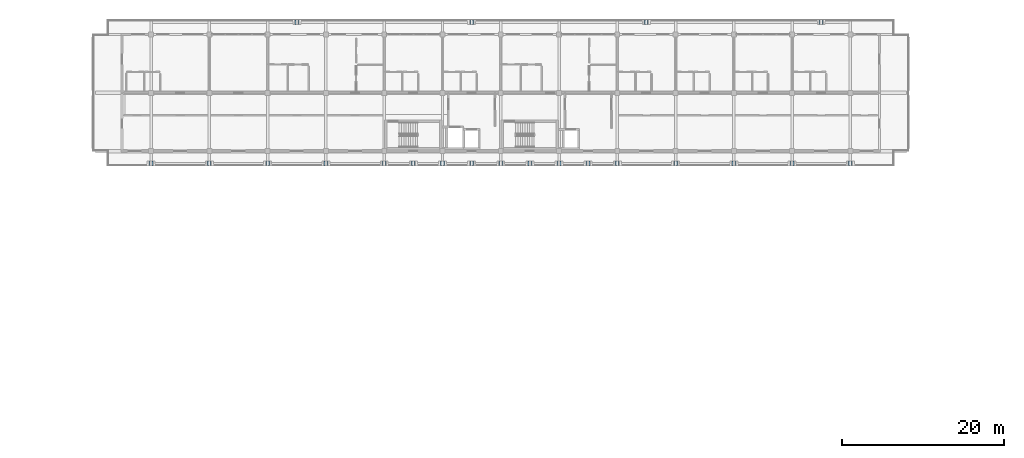
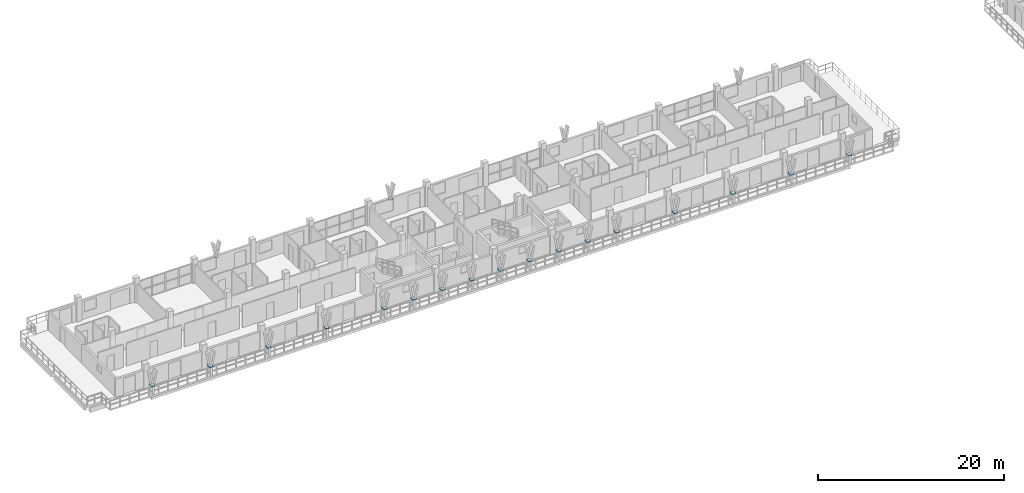
# One storey, part 32 of 67: 21 plates.
"""IFC4 building model written with IfcOpenShell, lengths in metres."""

from ifc_helpers import new_model, si_unit, direction, frame, origin, origin_2d, place, context, subcontext, project, spatial, rectangle, extrude, material, layer, layer_set, type_object, element, save


model = new_model("IFC4")

# Units and contexts
model_context = context("Model", 3, precision=1e-05, world=origin(), true_north=direction((0.0, 1.0)))
body_context = subcontext(model_context, "Body", "Model", "MODEL_VIEW")
ifc_project = project(units=[si_unit("LENGTHUNIT", "METRE"), si_unit("AREAUNIT", "SQUARE_METRE"), si_unit("VOLUMEUNIT", "CUBIC_METRE"), si_unit("PLANEANGLEUNIT", "RADIAN"), si_unit("MASSUNIT", "GRAM", prefix="KILO")], contexts=[model_context])

# Site, building, storey
site_placement = place(None, origin())
site = spatial("IfcSite", under=ifc_project, at=site_placement, CompositionType="ELEMENT")
building_placement = place(site_placement, origin())
building = spatial("IfcBuilding", under=site, at=building_placement, Name="Suanplinth Sawtooth Commons", CompositionType="ELEMENT")
storey_placement = place(building_placement, frame((0.0, 0.0, 25.10009765625)))
storey = spatial("IfcBuildingStorey", under=building, at=storey_placement, Name="L07", CompositionType="ELEMENT", Elevation=25.10009765625)

# Plates
ifc_material = material(Name="Pigmented precast concrete C40/50", Category="concrete")
ifc_layer = layer(ifc_material, 0.06005859375, Name="Precast Y-blade bifurcation node plate 60mm")
ifc_layer_set = layer_set([ifc_layer], Name="Pigmented precast concrete C40/50")
plate_type = type_object("IfcPlateType", Name="PL-04", PredefinedType="USERDEFINED", material=ifc_layer_set)
for number, where, z_axis, x_axis, name in (
    (1, (32.39990234375, 123.919921875, 1.119873046875), (0.0, 0.0, 1.0), (1.0, 0.0, 0.0), "Y-Blade Node Plate L07-A-N-01"),
    (2, (54.0, 123.919921875, 1.119873046875), (0.0, 0.0, 1.0), (1.0, 0.0, 0.0), "Y-Blade Node Plate L07-A-N-02"),
    (3, (75.60009765625, 123.919921875, 1.119873046875), (0.0, 0.0, 1.0), (1.0, 0.0, 0.0), "Y-Blade Node Plate L07-A-N-03"),
    (4, (97.199951171875, 123.919921875, 1.119873046875), (0.0, 0.0, 1.0), (1.0, 0.0, 0.0), "Y-Blade Node Plate L07-A-N-04"),
    (5, (14.39990234375, 106.47998046875, 1.119873046875), (0.0, 0.0, 1.0), (1.0, 0.0, 0.0), "Y-Blade Node Plate L07-A-S-05"),
    (6, (21.60009765625, 106.47998046875, 1.119873046875), (0.0, 0.0, 1.0), (1.0, 0.0, 0.0), "Y-Blade Node Plate L07-A-S-06"),
    (7, (28.800048828125, 106.47998046875, 1.119873046875), (0.0, 0.0, 1.0), (1.0, 0.0, 0.0), "Y-Blade Node Plate L07-A-S-07"),
    (8, (36.0, 106.47998046875, 1.119873046875), (0.0, 0.0, 1.0), (1.0, 0.0, 0.0), "Y-Blade Node Plate L07-A-S-08"),
    (9, (43.199951171875, 106.47998046875, 1.119873046875), (0.0, 0.0, 1.0), (1.0, 0.0, 0.0), "Y-Blade Node Plate L07-A-S-09"),
    (10, (46.800048828125, 106.47998046875, 1.119873046875), (0.0, 0.0, 1.0), (1.0, 0.0, 0.0), "Y-Blade Node Plate L07-A-S-10"),
    (11, (50.39990234375, 106.47998046875, 1.119873046875), (0.0, 0.0, 1.0), (1.0, 0.0, 0.0), "Y-Blade Node Plate L07-A-S-11"),
    (12, (54.0, 106.47998046875, 1.119873046875), (0.0, 0.0, 1.0), (1.0, 0.0, 0.0), "Y-Blade Node Plate L07-A-S-12"),
    (13, (57.60009765625, 106.47998046875, 1.119873046875), (0.0, 0.0, 1.0), (1.0, 0.0, 0.0), "Y-Blade Node Plate L07-A-S-13"),
    (14, (61.199951171875, 106.47998046875, 1.119873046875), (0.0, 0.0, 1.0), (1.0, 0.0, 0.0), "Y-Blade Node Plate L07-A-S-14"),
    (15, (64.800048828125, 106.47998046875, 1.119873046875), (0.0, 0.0, 1.0), (1.0, 0.0, 0.0), "Y-Blade Node Plate L07-A-S-15"),
    (16, (68.39990234375, 106.47998046875, 1.119873046875), (0.0, 0.0, 1.0), (1.0, 0.0, 0.0), "Y-Blade Node Plate L07-A-S-16"),
    (17, (72.0, 106.47998046875, 1.119873046875), (0.0, 0.0, 1.0), (1.0, 0.0, 0.0), "Y-Blade Node Plate L07-A-S-17"),
    (18, (79.199951171875, 106.47998046875, 1.119873046875), (0.0, 0.0, 1.0), (1.0, 0.0, 0.0), "Y-Blade Node Plate L07-A-S-18"),
    (19, (86.39990234375, 106.47998046875, 1.119873046875), (0.0, 0.0, 1.0), (1.0, 0.0, 0.0), "Y-Blade Node Plate L07-A-S-19"),
    (20, (93.60009765625, 106.47998046875, 1.119873046875), (0.0, 0.0, 1.0), (1.0, 0.0, 0.0), "Y-Blade Node Plate L07-A-S-20"),
    (21, (100.800048828125, 106.47998046875, 1.119873046875), (0.0, 0.0, 1.0), (1.0, 0.0, 0.0), "Y-Blade Node Plate L07-A-S-21"),
):
    element("IfcPlate", number, at=place(storey_placement, frame(where, z_axis=z_axis, x_axis=x_axis)), inside=storey, type_object=plate_type, Name=name, ObjectType="GUSSET PLATE", PredefinedType="USERDEFINED", context=body_context, shape_type="SweptSolid", body=[
        extrude(rectangle(XDim=0.43994140625, YDim=0.550048828125, at=origin_2d()), origin(), (0.0, 0.0, 1.0), 0.06005859375),
    ])

save(model, "model.ifc")
